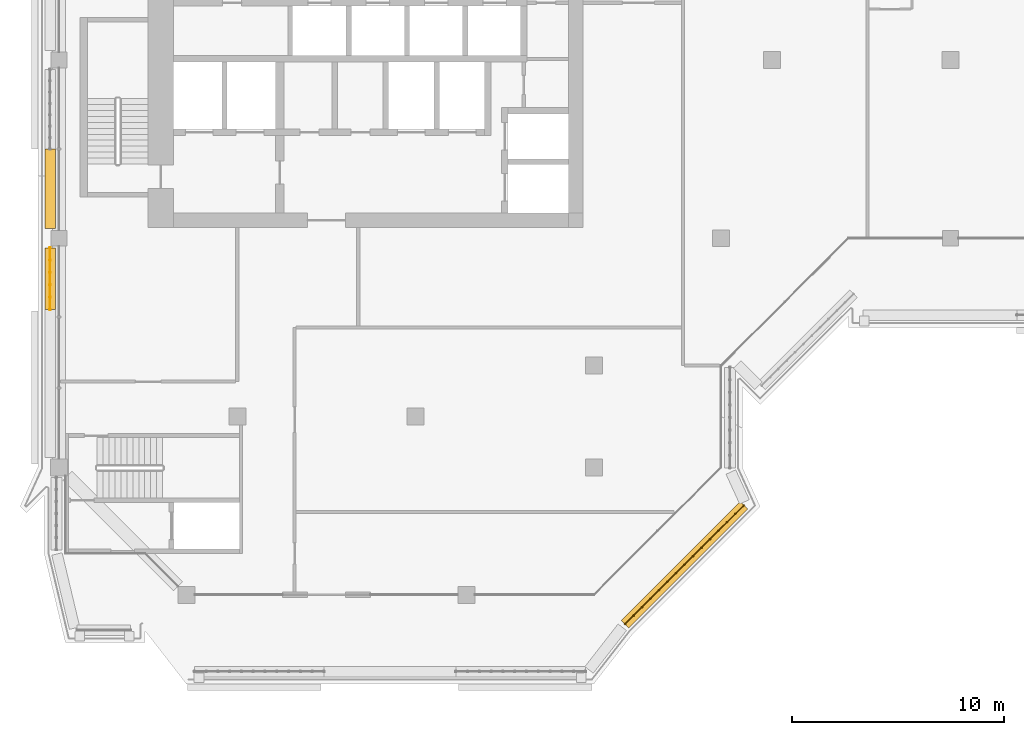
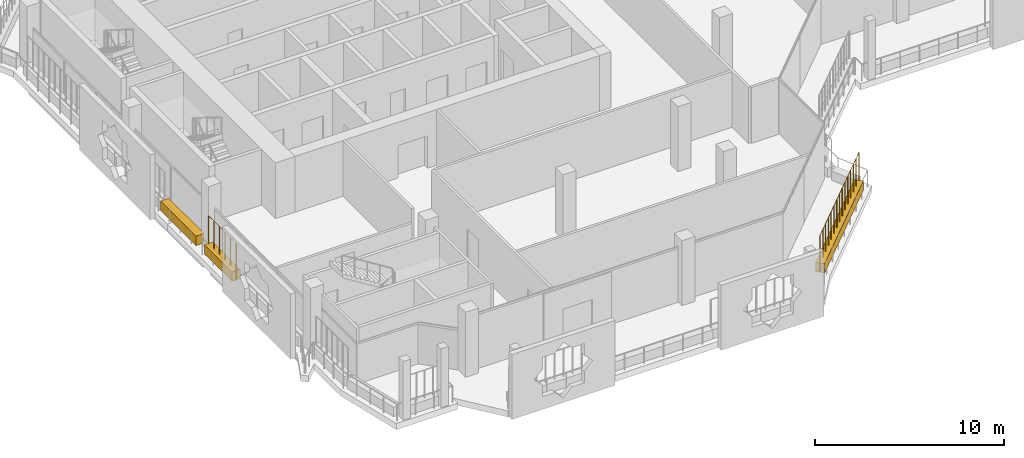
# One storey, part 16 of 21: 3 coverings, 2 railings.
"""IFC4 building model written with IfcOpenShell, lengths in metres."""

import ifcopenshell
import ifcopenshell.guid

model = None  # the IFC model being written
_history = None  # IfcOwnerHistory: only IFC2X3 demands one
_inside = {}  # id of a spatial element -> (the spatial element, [elements in it])
_under = {}  # id of a project, library or spatial element -> (it, [spatial elements below it])
_declared = {}  # id of a project -> (the project, [libraries it declares])
_typed = {}  # id of a type object -> (the type object, [elements of that type])
_made_of = {}  # id of a material, layer set ... -> (it, [elements and type objects made of it])


def new_model(schema):
    """Start an empty IFC model of exactly this schema.

    Asked for "IFC4X3", IfcOpenShell would pick the latest addendum, in which some entities
    have other attributes; the version numbers below select the first issue.
    IFC2X3 requires an IfcOwnerHistory on every rooted entity: one is made here for all.
    """
    global model, _history
    if schema == "IFC4X3":
        model = ifcopenshell.file(schema_version=(4, 3, 0, 0))
    else:
        model = ifcopenshell.file(schema=schema)
    _inside.clear()
    _under.clear()
    _declared.clear()
    _typed.clear()
    _made_of.clear()
    _history = None
    if model.schema == "IFC2X3":
        org = make("IfcOrganization", Name="unknown")
        user = make(
            "IfcPersonAndOrganization",
            ThePerson=make("IfcPerson", FamilyName="unknown"),
            TheOrganization=org,
        )
        app = make(
            "IfcApplication",
            ApplicationDeveloper=org,
            Version="unknown",
            ApplicationFullName="unknown",
            ApplicationIdentifier="unknown",
        )
        _history = make(
            "IfcOwnerHistory",
            OwningUser=user,
            OwningApplication=app,
            ChangeAction="ADDED",
            CreationDate=0,
        )
    return model


def make(cls, **values):
    """One entity of the class cls with the attributes given. An attribute that is None is left unset."""
    return model.create_entity(
        cls, **{name: value for name, value in values.items() if value is not None}
    )


def rooted(cls, **values):
    """An entity with a GlobalId (a new one), such as an element, a storey or a relation."""
    return make(cls, GlobalId=ifcopenshell.guid.new(), OwnerHistory=_history, **values)


def si_unit(unit_type, name, prefix=None):
    """IfcSIUnit, for example si_unit("LENGTHUNIT", "METRE", prefix="MILLI")."""
    return make("IfcSIUnit", UnitType=unit_type, Prefix=prefix, Name=name)


def assignment(units):
    """IfcUnitAssignment: the units of a project."""
    return None if units is None else make("IfcUnitAssignment", Units=units)


def point(xyz):
    """IfcCartesianPoint."""
    return None if xyz is None else make("IfcCartesianPoint", Coordinates=xyz)


def direction(xyz):
    """IfcDirection."""
    return None if xyz is None else make("IfcDirection", DirectionRatios=xyz)


def frame(location, z_axis=None, x_axis=None):
    """IfcAxis2Placement3D, a coordinate frame: its origin and axes. An axis left out is left unset."""
    return make(
        "IfcAxis2Placement3D",
        Location=point(location),
        Axis=direction(z_axis),
        RefDirection=direction(x_axis),
    )


def frame_2d(location, x_axis=None):
    """IfcAxis2Placement2D, a coordinate frame in the plane: its origin and x axis."""
    return make(
        "IfcAxis2Placement2D", Location=point(location), RefDirection=direction(x_axis)
    )


def origin():
    """The frame at (0, 0, 0) with its axes left unset."""
    return frame((0.0, 0.0, 0.0))


def origin_2d():
    """The frame at (0, 0) in the plane with its x axis left unset."""
    return frame_2d((0.0, 0.0))


def place(relative_to, where):
    """IfcLocalPlacement: puts the frame where relative to a parent placement (None: the world)."""
    return make(
        "IfcLocalPlacement", PlacementRelTo=relative_to, RelativePlacement=where
    )


def context(
    kind, dimensions, precision=None, world=None, true_north=None, identifier=None
):
    """IfcGeometricRepresentationContext, for example the 3D "Model" context."""
    return make(
        "IfcGeometricRepresentationContext",
        ContextIdentifier=identifier,
        ContextType=kind,
        CoordinateSpaceDimension=dimensions,
        Precision=precision,
        WorldCoordinateSystem=world,
        TrueNorth=true_north,
    )


def subcontext(parent, identifier, kind, view, scale=None):
    """IfcGeometricRepresentationSubContext, for example "Body" below "Model"."""
    return make(
        "IfcGeometricRepresentationSubContext",
        ContextIdentifier=identifier,
        ContextType=kind,
        ParentContext=parent,
        TargetScale=scale,
        TargetView=view,
    )


def project(units=None, contexts=None):
    """IfcProject with its units and contexts."""
    return rooted(
        "IfcProject",
        Name="project",
        RepresentationContexts=contexts,
        UnitsInContext=assignment(units),
    )


def spatial(cls, under=None, at=None, **own):
    """A site, building, storey or space (cls), placed at a placement, below another one or the project."""
    s = rooted(cls, ObjectPlacement=at, **own)
    if under is not None:
        _under.setdefault(under.id(), (under, []))[1].append(s)
    return s


def profile(cls, at=None, kind="AREA", **sizes):
    """A parametric profile (cls). Its sizes go by their IFC names, for example OverallWidth=200.0."""
    return make(cls, ProfileType=kind, Position=at, **sizes)


def rectangle(**sizes):
    """IfcRectangleProfileDef."""
    return profile("IfcRectangleProfileDef", **sizes)


def circle(**sizes):
    """IfcCircleProfileDef."""
    return profile("IfcCircleProfileDef", **sizes)


def extrude(swept, where, along, depth):
    """IfcExtrudedAreaSolid: the profile swept, set in the frame where, extruded along a direction by depth."""
    return make(
        "IfcExtrudedAreaSolid",
        SweptArea=swept,
        Position=where,
        ExtrudedDirection=direction(along),
        Depth=depth,
    )


def shape(context_of_items, identifier, shape_type, items):
    """IfcShapeRepresentation: the items that make up one representation, for example the "Body"."""
    return make(
        "IfcShapeRepresentation",
        ContextOfItems=context_of_items,
        RepresentationIdentifier=identifier,
        RepresentationType=shape_type,
        Items=items,
    )


def material(Name=None, Category=None):
    """IfcMaterial."""
    return make("IfcMaterial", Name=Name, Category=Category)


def material_profile(
    of_material, cross_section, Name=None, Category=None, Priority=None
):
    """IfcMaterialProfile: a cross section and its material."""
    return make(
        "IfcMaterialProfile",
        Name=Name,
        Material=of_material,
        Profile=cross_section,
        Priority=Priority,
        Category=Category,
    )


def profile_set(profiles, Name=None, composite=None):
    """IfcMaterialProfileSet."""
    return make(
        "IfcMaterialProfileSet",
        Name=Name,
        MaterialProfiles=profiles,
        CompositeProfile=composite,
    )


def made_of(thing, what):
    """Note that an element or type object is made of a material, layer set ...; save() writes the relation."""
    if what is not None:
        _made_of.setdefault(what.id(), (what, []))[1].append(thing)
    return thing


def type_object(cls, material=None, **own):
    """A type object (cls), such as IfcWallType, which elements share."""
    return made_of(rooted(cls, **own), material)


def element(
    cls,
    number,
    at=None,
    inside=None,
    cuts=None,
    type_object=None,
    material=None,
    context=None,
    identifier="Body",
    shape_type=None,
    held_by="IfcProductDefinitionShape",
    body=None,
    shapes=None,
    **own,
):
    """One element of the class cls, such as IfcWall. Its Tag is "e" and its number.

    at: its placement. inside: the storey or other place that contains it. cuts: it is an
    opening in that element (IfcRelVoidsElement). A single representation is given by context,
    identifier, shape_type and body (its items); several are given by shapes. held_by: the class
    of the entity that holds the representations. save() writes the other relations.
    """
    e = rooted(cls, Tag="e%d" % number, ObjectPlacement=at, **own)
    if body is not None:
        shapes = [shape(context, identifier, shape_type, body)]
    if shapes is not None:
        e.Representation = make(held_by, Representations=shapes)
    if inside is not None:
        _inside.setdefault(inside.id(), (inside, []))[1].append(e)
    if cuts is not None:
        rooted(
            "IfcRelVoidsElement", RelatingBuildingElement=cuts, RelatedOpeningElement=e
        )
    if type_object is not None:
        _typed.setdefault(type_object.id(), (type_object, []))[1].append(e)
    return made_of(e, material)


def aggregate(whole, parts):
    """IfcRelAggregates: a whole, such as a stair, and the parts it consists of."""
    return rooted("IfcRelAggregates", RelatingObject=whole, RelatedObjects=parts)


def save(model, path):
    """Write the relations noted so far, then the file.

    IfcRelAggregates (storeys below a building ...), IfcRelContainedInSpatialStructure (elements
    in a storey), IfcRelDefinesByType, IfcRelAssociatesMaterial and IfcRelDeclares: one each for
    every whole, place, type object, material and project.
    """
    for whole, parts in _under.values():
        aggregate(whole, parts)
    for where, things in _inside.values():
        rooted(
            "IfcRelContainedInSpatialStructure",
            RelatedElements=things,
            RelatingStructure=where,
        )
    for kind, things in _typed.values():
        rooted("IfcRelDefinesByType", RelatedObjects=things, RelatingType=kind)
    for what, things in _made_of.values():
        rooted("IfcRelAssociatesMaterial", RelatedObjects=things, RelatingMaterial=what)
    for by, libraries in _declared.values():
        rooted("IfcRelDeclares", RelatingContext=by, RelatedDefinitions=libraries)
    model.write(path)


model = new_model("IFC4")

# Units and contexts
model_context = context("Model", 3, precision=1e-05, world=origin(), true_north=direction((0.0, 1.0)))
body_context = subcontext(model_context, "Body", "Model", "MODEL_VIEW")
ifc_project = project(units=[si_unit("LENGTHUNIT", "METRE"), si_unit("AREAUNIT", "SQUARE_METRE"), si_unit("VOLUMEUNIT", "CUBIC_METRE"), si_unit("PLANEANGLEUNIT", "RADIAN"), si_unit("MASSUNIT", "GRAM", prefix="KILO")], contexts=[model_context])

# Site, building, storey
site_placement = place(None, origin())
site = spatial("IfcSite", under=ifc_project, at=site_placement, CompositionType="ELEMENT")
building_placement = place(site_placement, origin())
building = spatial("IfcBuilding", under=site, at=building_placement, Name="Kawkab Arch Medical Tower", CompositionType="ELEMENT")
storey_placement = place(building_placement, frame((0.0, 0.0, 302.800048828125)))
storey = spatial("IfcBuildingStorey", under=building, at=storey_placement, Name="L70", CompositionType="ELEMENT", Elevation=302.800048828125)

# Coverings
ifc_material_1 = material(Name="Planting soil in a precast trough", Category="concrete")
ifc_material_profile = material_profile(ifc_material_1, rectangle(XDim=0.5, YDim=0.60009765625, at=origin_2d()), Name="Trough 500x600")
ifc_profile_set = profile_set([ifc_material_profile], Name="Planting soil in a precast trough")
covering_type = type_object("IfcCoveringType", Name="Planter trough 500 x 600", PredefinedType="USERDEFINED", material=ifc_profile_set)
covering_1_placement = place(storey_placement, frame((-0.419921875, -28.56298828125, 0.300048828125), z_axis=(0.0, 1.0, 0.0), x_axis=(-1.0, 0.0, 0.0)))
element("IfcCovering", 1, at=covering_1_placement, inside=storey, type_object=covering_type, Name="Planter L70.LOG-01-01.5", ObjectType="PLANTER", PredefinedType="USERDEFINED", context=body_context, shape_type="SweptSolid", body=[
    extrude(rectangle(XDim=0.5, YDim=0.60009765625, at=origin_2d()), origin(), (0.0, 0.0, 1.0), 2.909912109375),
])
covering_2_placement = place(storey_placement, frame((-0.419921875, -24.7470703125, 0.300048828125), z_axis=(0.0, 1.0, 0.0), x_axis=(-1.0, 0.0, 0.0)))
element("IfcCovering", 2, at=covering_2_placement, inside=storey, type_object=covering_type, Name="Planter L70.LOG-01-01.6", ObjectType="PLANTER", PredefinedType="USERDEFINED", context=body_context, shape_type="SweptSolid", body=[
    extrude(rectangle(XDim=0.5, YDim=0.60009765625, at=origin_2d()), origin(), (0.0, 0.0, 1.0), 3.7470703125),
])
covering_3_placement = place(storey_placement, frame((32.27294921875, -37.782958984375, 0.300048828125), z_axis=(-0.707091367247, -0.70712219479, 0.0), x_axis=(0.70712219479, -0.707091367247, 0.0)))
element("IfcCovering", 3, at=covering_3_placement, inside=storey, type_object=covering_type, Name="Planter L70.LOG-01-01.33", ObjectType="PLANTER", PredefinedType="USERDEFINED", context=body_context, shape_type="SweptSolid", body=[
    extrude(rectangle(XDim=0.5, YDim=0.60009765625, at=origin_2d()), origin(), (0.0, 0.0, 1.0), 7.919677734375),
])

# Railings
ifc_material_2 = material(Name="Bronze anodised aluminium trellis for climbing plants", Category="aluminium")
railing_type = type_object("IfcRailingType", Name="Planting trellis 2400", PredefinedType="USERDEFINED", material=ifc_material_2)
railing_1_placement = place(storey_placement, frame((-0.419921875, -28.56298828125, 0.0)))
element("IfcRailing", 4, at=railing_1_placement, inside=storey, type_object=railing_type, Name="Planting trellis L70.LOG-01-01.5", ObjectType="TRELLIS", PredefinedType="USERDEFINED", context=body_context, shape_type="SweptSolid", body=[
    extrude(circle(Radius=0.01513671875, at=origin_2d()), frame((0.0, 0.0, 2.384765625), z_axis=(0.0, 1.0, 0.0), x_axis=(-1.0, 0.0, 0.0)), (0.0, 0.0, 1.0), 2.909912109375),
    extrude(circle(Radius=0.030029296875, at=origin_2d()), origin(), (0.0, 0.0, 1.0), 2.369873046875),
    extrude(circle(Radius=0.030029296875, at=origin_2d()), frame((0.0, 0.58203125, 0.0)), (0.0, 0.0, 1.0), 2.369873046875),
    extrude(circle(Radius=0.030029296875, at=origin_2d()), frame((0.0, 1.1640625, 0.0)), (0.0, 0.0, 1.0), 2.369873046875),
    extrude(circle(Radius=0.030029296875, at=origin_2d()), frame((0.0, 1.745849609375, 0.0)), (0.0, 0.0, 1.0), 2.369873046875),
    extrude(circle(Radius=0.030029296875, at=origin_2d()), frame((0.0, 2.327880859375, 0.0)), (0.0, 0.0, 1.0), 2.369873046875),
    extrude(circle(Radius=0.030029296875, at=origin_2d()), frame((0.0, 2.909912109375, 0.0)), (0.0, 0.0, 1.0), 2.369873046875),
])
railing_2_placement = place(storey_placement, frame((32.27294921875, -37.782958984375, 0.0)))
element("IfcRailing", 5, at=railing_2_placement, inside=storey, type_object=railing_type, Name="Planting trellis L70.LOG-01-01.33", ObjectType="TRELLIS", PredefinedType="USERDEFINED", context=body_context, shape_type="SweptSolid", body=[
    extrude(circle(Radius=0.01513671875, at=origin_2d()), frame((0.0, 0.0, 2.384765625), z_axis=(-0.707091367247, -0.70712219479, 0.0), x_axis=(0.70712219479, -0.707091367247, 0.0)), (0.0, 0.0, 1.0), 7.919677734375),
    extrude(circle(Radius=0.030029296875, at=origin_2d()), origin(), (0.0, 0.0, 1.0), 2.369873046875),
    extrude(circle(Radius=0.030029296875, at=origin_2d()), frame((-0.39990234375, -0.39990234375, 0.0)), (0.0, 0.0, 1.0), 2.369873046875),
    extrude(circle(Radius=0.030029296875, at=origin_2d()), frame((-0.800048828125, -0.800048828125, 0.0)), (0.0, 0.0, 1.0), 2.369873046875),
    extrude(circle(Radius=0.030029296875, at=origin_2d()), frame((-1.199951171875, -1.199951171875, 0.0)), (0.0, 0.0, 1.0), 2.369873046875),
    extrude(circle(Radius=0.030029296875, at=origin_2d()), frame((-1.599853515625, -1.60009765625, 0.0)), (0.0, 0.0, 1.0), 2.369873046875),
    extrude(circle(Radius=0.030029296875, at=origin_2d()), frame((-2.0, -2.0, 0.0)), (0.0, 0.0, 1.0), 2.369873046875),
    extrude(circle(Radius=0.030029296875, at=origin_2d()), frame((-2.39990234375, -2.400146484375, 0.0)), (0.0, 0.0, 1.0), 2.369873046875),
    extrude(circle(Radius=0.030029296875, at=origin_2d()), frame((-2.7998046875, -2.800048828125, 0.0)), (0.0, 0.0, 1.0), 2.369873046875),
    extrude(circle(Radius=0.030029296875, at=origin_2d()), frame((-3.199951171875, -3.199951171875, 0.0)), (0.0, 0.0, 1.0), 2.369873046875),
    extrude(circle(Radius=0.030029296875, at=origin_2d()), frame((-3.599853515625, -3.60009765625, 0.0)), (0.0, 0.0, 1.0), 2.369873046875),
    extrude(circle(Radius=0.030029296875, at=origin_2d()), frame((-4.0, -4.0, 0.0)), (0.0, 0.0, 1.0), 2.369873046875),
    extrude(circle(Radius=0.030029296875, at=origin_2d()), frame((-4.39990234375, -4.400146484375, 0.0)), (0.0, 0.0, 1.0), 2.369873046875),
    extrude(circle(Radius=0.030029296875, at=origin_2d()), frame((-4.7998046875, -4.800048828125, 0.0)), (0.0, 0.0, 1.0), 2.369873046875),
    extrude(circle(Radius=0.030029296875, at=origin_2d()), frame((-5.199951171875, -5.2001953125, 0.0)), (0.0, 0.0, 1.0), 2.369873046875),
    extrude(circle(Radius=0.030029296875, at=origin_2d()), frame((-5.599853515625, -5.60009765625, 0.0)), (0.0, 0.0, 1.0), 2.369873046875),
])

save(model, "model.ifc")
